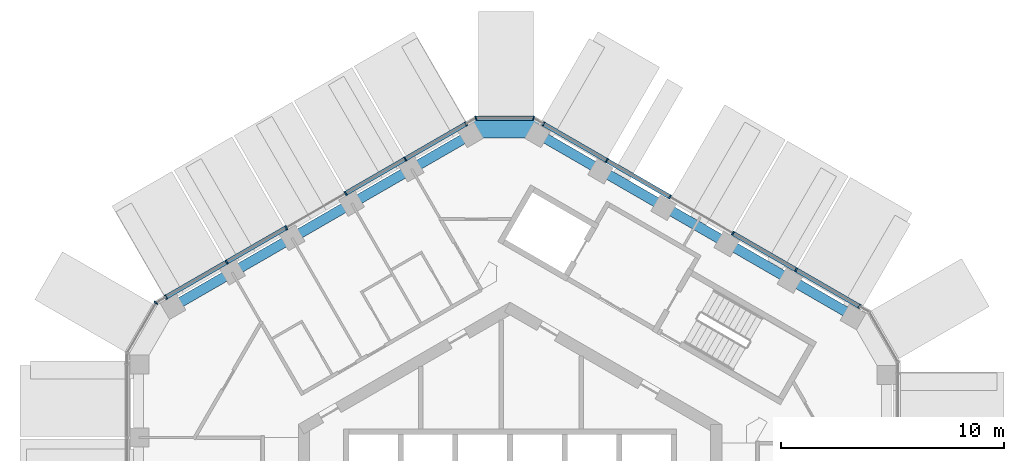
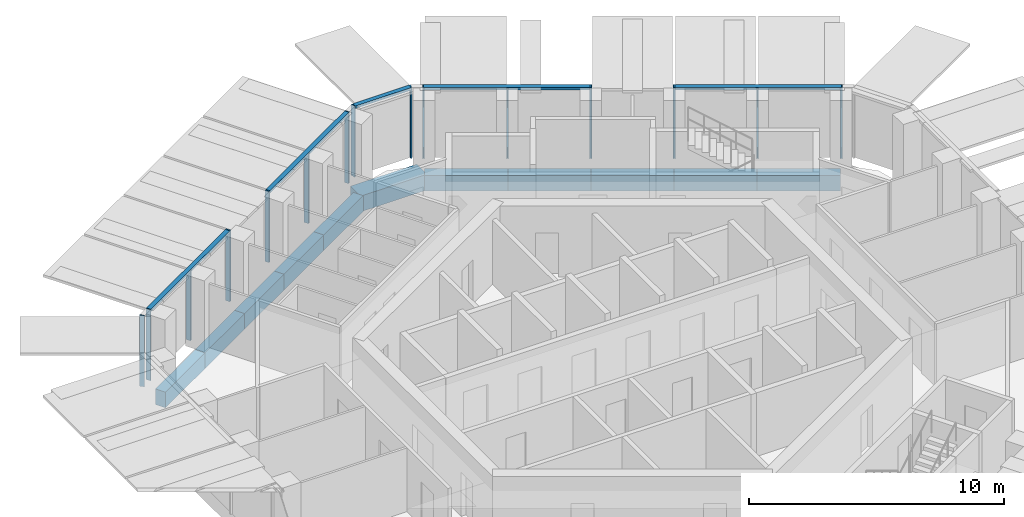
# One storey, part 5 of 17: 20 members, 11 beams, 4 elements without a shape of their own.
"""IFC4 building model written with IfcOpenShell, lengths in metres."""

import ifcopenshell
import ifcopenshell.guid

model = None  # the IFC model being written
_history = None  # IfcOwnerHistory: only IFC2X3 demands one
_inside = {}  # id of a spatial element -> (the spatial element, [elements in it])
_under = {}  # id of a project, library or spatial element -> (it, [spatial elements below it])
_declared = {}  # id of a project -> (the project, [libraries it declares])
_typed = {}  # id of a type object -> (the type object, [elements of that type])
_made_of = {}  # id of a material, layer set ... -> (it, [elements and type objects made of it])


def new_model(schema):
    """Start an empty IFC model of exactly this schema.

    Asked for "IFC4X3", IfcOpenShell would pick the latest addendum, in which some entities
    have other attributes; the version numbers below select the first issue.
    IFC2X3 requires an IfcOwnerHistory on every rooted entity: one is made here for all.
    """
    global model, _history
    if schema == "IFC4X3":
        model = ifcopenshell.file(schema_version=(4, 3, 0, 0))
    else:
        model = ifcopenshell.file(schema=schema)
    _inside.clear()
    _under.clear()
    _declared.clear()
    _typed.clear()
    _made_of.clear()
    _history = None
    if model.schema == "IFC2X3":
        org = make("IfcOrganization", Name="unknown")
        user = make(
            "IfcPersonAndOrganization",
            ThePerson=make("IfcPerson", FamilyName="unknown"),
            TheOrganization=org,
        )
        app = make(
            "IfcApplication",
            ApplicationDeveloper=org,
            Version="unknown",
            ApplicationFullName="unknown",
            ApplicationIdentifier="unknown",
        )
        _history = make(
            "IfcOwnerHistory",
            OwningUser=user,
            OwningApplication=app,
            ChangeAction="ADDED",
            CreationDate=0,
        )
    return model


def make(cls, **values):
    """One entity of the class cls with the attributes given. An attribute that is None is left unset."""
    return model.create_entity(
        cls, **{name: value for name, value in values.items() if value is not None}
    )


def rooted(cls, **values):
    """An entity with a GlobalId (a new one), such as an element, a storey or a relation."""
    return make(cls, GlobalId=ifcopenshell.guid.new(), OwnerHistory=_history, **values)


def si_unit(unit_type, name, prefix=None):
    """IfcSIUnit, for example si_unit("LENGTHUNIT", "METRE", prefix="MILLI")."""
    return make("IfcSIUnit", UnitType=unit_type, Prefix=prefix, Name=name)


def assignment(units):
    """IfcUnitAssignment: the units of a project."""
    return None if units is None else make("IfcUnitAssignment", Units=units)


def point(xyz):
    """IfcCartesianPoint."""
    return None if xyz is None else make("IfcCartesianPoint", Coordinates=xyz)


def direction(xyz):
    """IfcDirection."""
    return None if xyz is None else make("IfcDirection", DirectionRatios=xyz)


def frame(location, z_axis=None, x_axis=None):
    """IfcAxis2Placement3D, a coordinate frame: its origin and axes. An axis left out is left unset."""
    return make(
        "IfcAxis2Placement3D",
        Location=point(location),
        Axis=direction(z_axis),
        RefDirection=direction(x_axis),
    )


def frame_2d(location, x_axis=None):
    """IfcAxis2Placement2D, a coordinate frame in the plane: its origin and x axis."""
    return make(
        "IfcAxis2Placement2D", Location=point(location), RefDirection=direction(x_axis)
    )


def origin():
    """The frame at (0, 0, 0) with its axes left unset."""
    return frame((0.0, 0.0, 0.0))


def origin_2d():
    """The frame at (0, 0) in the plane with its x axis left unset."""
    return frame_2d((0.0, 0.0))


def place(relative_to, where):
    """IfcLocalPlacement: puts the frame where relative to a parent placement (None: the world)."""
    return make(
        "IfcLocalPlacement", PlacementRelTo=relative_to, RelativePlacement=where
    )


def context(
    kind, dimensions, precision=None, world=None, true_north=None, identifier=None
):
    """IfcGeometricRepresentationContext, for example the 3D "Model" context."""
    return make(
        "IfcGeometricRepresentationContext",
        ContextIdentifier=identifier,
        ContextType=kind,
        CoordinateSpaceDimension=dimensions,
        Precision=precision,
        WorldCoordinateSystem=world,
        TrueNorth=true_north,
    )


def subcontext(parent, identifier, kind, view, scale=None):
    """IfcGeometricRepresentationSubContext, for example "Body" below "Model"."""
    return make(
        "IfcGeometricRepresentationSubContext",
        ContextIdentifier=identifier,
        ContextType=kind,
        ParentContext=parent,
        TargetScale=scale,
        TargetView=view,
    )


def project(units=None, contexts=None):
    """IfcProject with its units and contexts."""
    return rooted(
        "IfcProject",
        Name="project",
        RepresentationContexts=contexts,
        UnitsInContext=assignment(units),
    )


def spatial(cls, under=None, at=None, **own):
    """A site, building, storey or space (cls), placed at a placement, below another one or the project."""
    s = rooted(cls, ObjectPlacement=at, **own)
    if under is not None:
        _under.setdefault(under.id(), (under, []))[1].append(s)
    return s


def profile(cls, at=None, kind="AREA", **sizes):
    """A parametric profile (cls). Its sizes go by their IFC names, for example OverallWidth=200.0."""
    return make(cls, ProfileType=kind, Position=at, **sizes)


def rectangle(**sizes):
    """IfcRectangleProfileDef."""
    return profile("IfcRectangleProfileDef", **sizes)


def extrude(swept, where, along, depth):
    """IfcExtrudedAreaSolid: the profile swept, set in the frame where, extruded along a direction by depth."""
    return make(
        "IfcExtrudedAreaSolid",
        SweptArea=swept,
        Position=where,
        ExtrudedDirection=direction(along),
        Depth=depth,
    )


def shape(context_of_items, identifier, shape_type, items):
    """IfcShapeRepresentation: the items that make up one representation, for example the "Body"."""
    return make(
        "IfcShapeRepresentation",
        ContextOfItems=context_of_items,
        RepresentationIdentifier=identifier,
        RepresentationType=shape_type,
        Items=items,
    )


def material(Name=None, Category=None):
    """IfcMaterial."""
    return make("IfcMaterial", Name=Name, Category=Category)


def layer(
    of_material, thickness, ventilated=None, Name=None, Category=None, Priority=None
):
    """IfcMaterialLayer: one layer of a wall or slab, of a material (None: an air gap)."""
    return make(
        "IfcMaterialLayer",
        Material=of_material,
        LayerThickness=thickness,
        IsVentilated=ventilated,
        Name=Name,
        Category=Category,
        Priority=Priority,
    )


def layer_set(layers, Name=None):
    """IfcMaterialLayerSet."""
    return make("IfcMaterialLayerSet", MaterialLayers=layers, LayerSetName=Name)


def material_profile(
    of_material, cross_section, Name=None, Category=None, Priority=None
):
    """IfcMaterialProfile: a cross section and its material."""
    return make(
        "IfcMaterialProfile",
        Name=Name,
        Material=of_material,
        Profile=cross_section,
        Priority=Priority,
        Category=Category,
    )


def profile_set(profiles, Name=None, composite=None):
    """IfcMaterialProfileSet."""
    return make(
        "IfcMaterialProfileSet",
        Name=Name,
        MaterialProfiles=profiles,
        CompositeProfile=composite,
    )


def made_of(thing, what):
    """Note that an element or type object is made of a material, layer set ...; save() writes the relation."""
    if what is not None:
        _made_of.setdefault(what.id(), (what, []))[1].append(thing)
    return thing


def type_object(cls, material=None, **own):
    """A type object (cls), such as IfcWallType, which elements share."""
    return made_of(rooted(cls, **own), material)


def element(
    cls,
    number,
    at=None,
    inside=None,
    cuts=None,
    type_object=None,
    material=None,
    context=None,
    identifier="Body",
    shape_type=None,
    held_by="IfcProductDefinitionShape",
    body=None,
    shapes=None,
    **own,
):
    """One element of the class cls, such as IfcWall. Its Tag is "e" and its number.

    at: its placement. inside: the storey or other place that contains it. cuts: it is an
    opening in that element (IfcRelVoidsElement). A single representation is given by context,
    identifier, shape_type and body (its items); several are given by shapes. held_by: the class
    of the entity that holds the representations. save() writes the other relations.
    """
    e = rooted(cls, Tag="e%d" % number, ObjectPlacement=at, **own)
    if body is not None:
        shapes = [shape(context, identifier, shape_type, body)]
    if shapes is not None:
        e.Representation = make(held_by, Representations=shapes)
    if inside is not None:
        _inside.setdefault(inside.id(), (inside, []))[1].append(e)
    if cuts is not None:
        rooted(
            "IfcRelVoidsElement", RelatingBuildingElement=cuts, RelatedOpeningElement=e
        )
    if type_object is not None:
        _typed.setdefault(type_object.id(), (type_object, []))[1].append(e)
    return made_of(e, material)


def aggregate(whole, parts):
    """IfcRelAggregates: a whole, such as a stair, and the parts it consists of."""
    return rooted("IfcRelAggregates", RelatingObject=whole, RelatedObjects=parts)


def save(model, path):
    """Write the relations noted so far, then the file.

    IfcRelAggregates (storeys below a building ...), IfcRelContainedInSpatialStructure (elements
    in a storey), IfcRelDefinesByType, IfcRelAssociatesMaterial and IfcRelDeclares: one each for
    every whole, place, type object, material and project.
    """
    for whole, parts in _under.values():
        aggregate(whole, parts)
    for where, things in _inside.values():
        rooted(
            "IfcRelContainedInSpatialStructure",
            RelatedElements=things,
            RelatingStructure=where,
        )
    for kind, things in _typed.values():
        rooted("IfcRelDefinesByType", RelatedObjects=things, RelatingType=kind)
    for what, things in _made_of.values():
        rooted("IfcRelAssociatesMaterial", RelatedObjects=things, RelatingMaterial=what)
    for by, libraries in _declared.values():
        rooted("IfcRelDeclares", RelatingContext=by, RelatedDefinitions=libraries)
    model.write(path)


model = new_model("IFC4")

# Units and contexts
model_context = context("Model", 3, precision=1e-05, world=origin(), true_north=direction((0.0, 1.0)))
body_context = subcontext(model_context, "Body", "Model", "MODEL_VIEW")
ifc_project = project(units=[si_unit("LENGTHUNIT", "METRE"), si_unit("AREAUNIT", "SQUARE_METRE"), si_unit("VOLUMEUNIT", "CUBIC_METRE"), si_unit("PLANEANGLEUNIT", "RADIAN"), si_unit("MASSUNIT", "GRAM", prefix="KILO")], contexts=[model_context])

# Site, building, storey
site_placement = place(None, origin())
site = spatial("IfcSite", under=ifc_project, at=site_placement, CompositionType="ELEMENT")
building_placement = place(site_placement, origin())
building = spatial("IfcBuilding", under=site, at=building_placement, Name="Ayvan Gate Tower", CompositionType="ELEMENT")
storey_placement = place(building_placement, frame((0.0, 0.0, 232.5)))
storey = spatial("IfcBuildingStorey", under=building, at=storey_placement, Name="L62", CompositionType="ELEMENT", Elevation=232.5)

# Beams
ifc_material_1 = material(Name="Concrete C40/50", Category="concrete")
ifc_material_profile_1 = material_profile(ifc_material_1, rectangle(XDim=0.800048828125, YDim=0.75, at=origin_2d()), Name="RC 800x750")
ifc_profile_set_1 = profile_set([ifc_material_profile_1], Name="Concrete C40/50")
beam_type_1 = type_object("IfcBeamType", Name="Corner spandrel beam RC 800x750 C40/50", PredefinedType="BEAM", material=ifc_profile_set_1)
beam_1_placement = place(storey_placement, frame((1.275146484375, 18.72412109375, -0.72509765625), z_axis=(-1.0, 0.0, 0.0), x_axis=(0.0, -1.0, 0.0)))
element("IfcBeam", 1, at=beam_1_placement, inside=storey, type_object=beam_type_1, Name="SB-L62-12", PredefinedType="BEAM", context=body_context, shape_type="SweptSolid", body=[
    extrude(rectangle(XDim=0.800048828125, YDim=0.75, at=origin_2d()), origin(), (0.0, 0.0, 1.0), 3.0),
])
ifc_material_profile_2 = material_profile(ifc_material_1, rectangle(XDim=0.449951171875, YDim=0.75, at=origin_2d()), Name="RC 450x750")
ifc_profile_set_2 = profile_set([ifc_material_profile_2], Name="Concrete C40/50")
beam_type_2 = type_object("IfcBeamType", Name="Spandrel beam RC 450x750 C40/50", PredefinedType="BEAM", material=ifc_profile_set_2)
beam_2_placement = place(storey_placement, frame((15.387451171875, 10.3564453125, -0.72509765625), z_axis=(-0.866017179828, 0.50001424404, 0.0), x_axis=(-0.50001424404, -0.866017179828, 0.0)))
element("IfcBeam", 2, at=beam_2_placement, inside=storey, type_object=beam_type_2, Name="SB-L62-7", PredefinedType="BEAM", context=body_context, shape_type="SweptSolid", body=[
    extrude(rectangle(XDim=0.449951171875, YDim=0.75, at=origin_2d()), origin(), (0.0, 0.0, 1.0), 3.25927734375),
])
for number, where, z_axis, x_axis, name in (
    (3, (12.56494140625, 11.986083984375, -0.72509765625), (-0.865998449813, 0.500046682742, 0.0), (-0.500046682742, -0.865998449813, 0.0), "SB-L62-8"),
    (4, (9.74267578125, 13.61572265625, -0.72509765625), (-0.866049616169, 0.499958060575, 0.0), (-0.499958060575, -0.866049616169, 0.0), "SB-L62-9"),
):
    element("IfcBeam", number, at=place(storey_placement, frame(where, z_axis=z_axis, x_axis=x_axis)), inside=storey, type_object=beam_type_2, Name=name, PredefinedType="BEAM", context=body_context, shape_type="SweptSolid", body=[
        extrude(rectangle(XDim=0.449951171875, YDim=0.75, at=origin_2d()), origin(), (0.0, 0.0, 1.0), 3.259033203125),
    ])
beam_3_placement = place(storey_placement, frame((6.920166015625, 15.2451171875, -0.72509765625), z_axis=(-0.866017179828, 0.50001424404, 0.0), x_axis=(-0.50001424404, -0.866017179828, 0.0)))
element("IfcBeam", 5, at=beam_3_placement, inside=storey, type_object=beam_type_2, Name="SB-L62-10", PredefinedType="BEAM", context=body_context, shape_type="SweptSolid", body=[
    extrude(rectangle(XDim=0.449951171875, YDim=0.75, at=origin_2d()), origin(), (0.0, 0.0, 1.0), 3.25927734375),
])
beam_4_placement = place(storey_placement, frame((4.09765625, 16.874755859375, -0.72509765625), z_axis=(-0.866049616169, 0.499958060575, 0.0), x_axis=(-0.499958060575, -0.866049616169, 0.0)))
element("IfcBeam", 6, at=beam_4_placement, inside=storey, type_object=beam_type_2, Name="SB-L62-11", PredefinedType="BEAM", context=body_context, shape_type="SweptSolid", body=[
    extrude(rectangle(XDim=0.449951171875, YDim=0.75, at=origin_2d()), origin(), (0.0, 0.0, 1.0), 3.259033203125),
])
for number, where, z_axis, x_axis, name in (
    (7, (-1.724853515625, 18.504150390625, -0.72509765625), (-0.866041474785, -0.499972163178, 0.0), (0.499972163178, -0.866041474785, 0.0), "SB-L62-13"),
    (8, (-4.412353515625, 16.95263671875, -0.72509765625), (-0.866007408613, -0.500031167255, 0.0), (0.500031167255, -0.866007408613, 0.0), "SB-L62-14"),
):
    element("IfcBeam", number, at=place(storey_placement, frame(where, z_axis=z_axis, x_axis=x_axis)), inside=storey, type_object=beam_type_2, Name=name, PredefinedType="BEAM", context=body_context, shape_type="SweptSolid", body=[
        extrude(rectangle(XDim=0.449951171875, YDim=0.75, at=origin_2d()), origin(), (0.0, 0.0, 1.0), 3.103271484375),
    ])
beam_5_placement = place(storey_placement, frame((-7.099853515625, 15.40087890625, -0.72509765625), z_axis=(-0.866027076738, -0.499997102348, 0.0), x_axis=(0.499997102348, -0.866027076738, 0.0)))
element("IfcBeam", 9, at=beam_5_placement, inside=storey, type_object=beam_type_2, Name="SB-L62-15", PredefinedType="BEAM", context=body_context, shape_type="SweptSolid", body=[
    extrude(rectangle(XDim=0.449951171875, YDim=0.75, at=origin_2d()), origin(), (0.0, 0.0, 1.0), 3.103515625),
])
beam_6_placement = place(storey_placement, frame((-9.78759765625, 13.84912109375, -0.72509765625), z_axis=(-0.866007408613, -0.500031167255, 0.0), x_axis=(0.500031167255, -0.866007408613, 0.0)))
element("IfcBeam", 10, at=beam_6_placement, inside=storey, type_object=beam_type_2, Name="SB-L62-16", PredefinedType="BEAM", context=body_context, shape_type="SweptSolid", body=[
    extrude(rectangle(XDim=0.449951171875, YDim=0.75, at=origin_2d()), origin(), (0.0, 0.0, 1.0), 3.103271484375),
])
beam_7_placement = place(storey_placement, frame((-12.47509765625, 12.29736328125, -0.72509765625), z_axis=(-0.866061139042, -0.49993809961, 0.0), x_axis=(0.49993809961, -0.866061139042, 0.0)))
element("IfcBeam", 11, at=beam_7_placement, inside=storey, type_object=beam_type_2, Name="SB-L62-17", PredefinedType="BEAM", context=body_context, shape_type="SweptSolid", body=[
    extrude(rectangle(XDim=0.449951171875, YDim=0.75, at=origin_2d()), origin(), (0.0, 0.0, 1.0), 3.103515625),
])

# Curtain wall, members
ifc_material_2 = material(Name="Bronze anodised aluminium", Category="aluminium")
ifc_layer_1 = layer(ifc_material_2, 0.199951171875)
ifc_layer_set_1 = layer_set([ifc_layer_1], Name="Bronze anodised aluminium")
curtain_wall_type_1 = type_object("IfcCurtainWallType", Name="Stick curtain wall CW-2", PredefinedType="NOTDEFINED", material=ifc_layer_set_1)
curtain_wall_1_placement = place(storey_placement, origin())
curtain_wall_1 = element("IfcCurtainWall", 12, at=curtain_wall_1_placement, inside=storey, type_object=curtain_wall_type_1, Name="Stick curtain wall CW-2 L62", PredefinedType="NOTDEFINED")
ifc_material_profile_3 = material_profile(ifc_material_2, rectangle(XDim=0.199951171875, YDim=0.070068359375, at=origin_2d()), Name="Stick curtain wall CW-2 mullion 200 x 70")
ifc_profile_set_3 = profile_set([ifc_material_profile_3], Name="Bronze anodised aluminium")
member_type_1 = type_object("IfcMemberType", Name="Stick curtain wall CW-2 mullion 200 x 70", PredefinedType="MULLION", material=ifc_profile_set_3)
member_1_placement = place(storey_placement, frame((-1.970458984375, 18.96875, 0.0), z_axis=(0.0, 0.0, 1.0), x_axis=(-0.5, 0.866025403784, 0.0)))
member_1 = element("IfcMember", 13, at=member_1_placement, type_object=member_type_1, Name="CW-2 mullion 1", PredefinedType="MULLION", context=body_context, shape_type="SweptSolid", body=[
    extrude(rectangle(XDim=0.199951171875, YDim=0.070068359375, at=origin_2d()), origin(), (0.0, 0.0, 1.0), 3.39990234375),
])
member_2_placement = place(storey_placement, frame((-4.699951171875, 17.392578125, 0.0), z_axis=(0.0, 0.0, 1.0), x_axis=(-0.5, 0.866025403784, 0.0)))
member_2 = element("IfcMember", 14, at=member_2_placement, type_object=member_type_1, Name="CW-2 mullion 2", PredefinedType="MULLION", context=body_context, shape_type="SweptSolid", body=[
    extrude(rectangle(XDim=0.199951171875, YDim=0.070068359375, at=origin_2d()), origin(), (0.0, 0.0, 1.0), 3.39990234375),
])
member_3_placement = place(storey_placement, frame((-7.370849609375, 15.8505859375, 0.0), z_axis=(0.0, 0.0, 1.0), x_axis=(-0.5, 0.866025403784, 0.0)))
member_3 = element("IfcMember", 15, at=member_3_placement, type_object=member_type_1, Name="CW-2 mullion 3", PredefinedType="MULLION", context=body_context, shape_type="SweptSolid", body=[
    extrude(rectangle(XDim=0.199951171875, YDim=0.070068359375, at=origin_2d()), origin(), (0.0, 0.0, 1.0), 3.39990234375),
])
member_4_placement = place(storey_placement, frame((-10.041748046875, 14.30859375, 0.0), z_axis=(0.0, 0.0, 1.0), x_axis=(-0.5, 0.866025403784, 0.0)))
member_4 = element("IfcMember", 16, at=member_4_placement, type_object=member_type_1, Name="CW-2 mullion 4", PredefinedType="MULLION", context=body_context, shape_type="SweptSolid", body=[
    extrude(rectangle(XDim=0.199951171875, YDim=0.070068359375, at=origin_2d()), origin(), (0.0, 0.0, 1.0), 3.39990234375),
])
member_5_placement = place(storey_placement, frame((-12.71240234375, 12.7666015625, 0.0), z_axis=(0.0, 0.0, 1.0), x_axis=(-0.5, 0.866025403784, 0.0)))
member_5 = element("IfcMember", 17, at=member_5_placement, type_object=member_type_1, Name="CW-2 mullion 5", PredefinedType="MULLION", context=body_context, shape_type="SweptSolid", body=[
    extrude(rectangle(XDim=0.199951171875, YDim=0.070068359375, at=origin_2d()), origin(), (0.0, 0.0, 1.0), 3.39990234375),
])
member_6_placement = place(storey_placement, frame((-15.442138671875, 11.190673828125, 0.0), z_axis=(0.0, 0.0, 1.0), x_axis=(-0.5, 0.866025403784, 0.0)))
member_6 = element("IfcMember", 18, at=member_6_placement, type_object=member_type_1, Name="CW-2 mullion 6", PredefinedType="MULLION", context=body_context, shape_type="SweptSolid", body=[
    extrude(rectangle(XDim=0.199951171875, YDim=0.070068359375, at=origin_2d()), origin(), (0.0, 0.0, 1.0), 3.39990234375),
])

curtain_wall_2_placement = place(storey_placement, origin())
curtain_wall_2 = element("IfcCurtainWall", 19, at=curtain_wall_2_placement, inside=storey, type_object=curtain_wall_type_1, Name="Stick curtain wall CW-2 L62", PredefinedType="NOTDEFINED")
member_7_placement = place(storey_placement, frame((15.679443359375, 10.779541015625, 0.0), z_axis=(0.0, 0.0, 1.0), x_axis=(0.5, 0.866025403784, 0.0)))
member_7 = element("IfcMember", 20, at=member_7_placement, type_object=member_type_1, Name="CW-2 mullion 1", PredefinedType="MULLION", context=body_context, shape_type="SweptSolid", body=[
    extrude(rectangle(XDim=0.199951171875, YDim=0.070068359375, at=origin_2d()), origin(), (0.0, 0.0, 1.0), 3.39990234375),
])
member_8_placement = place(storey_placement, frame((12.833740234375, 12.422607421875, 0.0), z_axis=(0.0, 0.0, 1.0), x_axis=(0.5, 0.866025403784, 0.0)))
member_8 = element("IfcMember", 21, at=member_8_placement, type_object=member_type_1, Name="CW-2 mullion 2", PredefinedType="MULLION", context=body_context, shape_type="SweptSolid", body=[
    extrude(rectangle(XDim=0.199951171875, YDim=0.070068359375, at=origin_2d()), origin(), (0.0, 0.0, 1.0), 3.39990234375),
])
member_9_placement = place(storey_placement, frame((10.002685546875, 14.05712890625, 0.0), z_axis=(0.0, 0.0, 1.0), x_axis=(0.5, 0.866025403784, 0.0)))
member_9 = element("IfcMember", 22, at=member_9_placement, type_object=member_type_1, Name="CW-2 mullion 3", PredefinedType="MULLION", context=body_context, shape_type="SweptSolid", body=[
    extrude(rectangle(XDim=0.199951171875, YDim=0.070068359375, at=origin_2d()), origin(), (0.0, 0.0, 1.0), 3.39990234375),
])
member_10_placement = place(storey_placement, frame((7.171630859375, 15.69140625, 0.0), z_axis=(0.0, 0.0, 1.0), x_axis=(0.5, 0.866025403784, 0.0)))
member_10 = element("IfcMember", 23, at=member_10_placement, type_object=member_type_1, Name="CW-2 mullion 4", PredefinedType="MULLION", context=body_context, shape_type="SweptSolid", body=[
    extrude(rectangle(XDim=0.199951171875, YDim=0.070068359375, at=origin_2d()), origin(), (0.0, 0.0, 1.0), 3.39990234375),
])
member_11_placement = place(storey_placement, frame((4.341552734375, 17.325439453125, 0.0), z_axis=(0.0, 0.0, 1.0), x_axis=(0.5, 0.866025403784, 0.0)))
member_11 = element("IfcMember", 24, at=member_11_placement, type_object=member_type_1, Name="CW-2 mullion 5", PredefinedType="MULLION", context=body_context, shape_type="SweptSolid", body=[
    extrude(rectangle(XDim=0.199951171875, YDim=0.070068359375, at=origin_2d()), origin(), (0.0, 0.0, 1.0), 3.39990234375),
])
member_12_placement = place(storey_placement, frame((1.49560546875, 18.96875, 0.0), z_axis=(0.0, 0.0, 1.0), x_axis=(0.5, 0.866025403784, 0.0)))
member_12 = element("IfcMember", 25, at=member_12_placement, type_object=member_type_1, Name="CW-2 mullion 6", PredefinedType="MULLION", context=body_context, shape_type="SweptSolid", body=[
    extrude(rectangle(XDim=0.199951171875, YDim=0.070068359375, at=origin_2d()), origin(), (0.0, 0.0, 1.0), 3.39990234375),
])

# Member
ifc_material_profile_4 = material_profile(ifc_material_2, rectangle(XDim=0.199951171875, YDim=0.1201171875, at=origin_2d()), Name="Stick curtain wall CW-2 transom 200 x 120")
ifc_profile_set_4 = profile_set([ifc_material_profile_4], Name="Bronze anodised aluminium")
member_type_2 = type_object("IfcMemberType", Name="Stick curtain wall CW-2 transom 200 x 120", PredefinedType="USERDEFINED", material=ifc_profile_set_4)
member_13_placement = place(storey_placement, frame((-1.970458984375, 18.96875, 3.340087890625), z_axis=(-0.86601511528, -0.500017819788, 0.0), x_axis=(0.500017819788, -0.86601511528, 0.0)))
member_13 = element("IfcMember", 26, at=member_13_placement, type_object=member_type_2, Name="CW-2 transom 1", ObjectType="TRANSOM", PredefinedType="USERDEFINED", context=body_context, shape_type="SweptSolid", body=[
    extrude(rectangle(XDim=0.199951171875, YDim=0.1201171875, at=origin_2d()), origin(), (0.0, 0.0, 1.0), 6.200927734375),
])

member_14_placement = place(storey_placement, frame((-10.072021484375, 14.291259765625, 3.340087890625), z_axis=(-0.86601511528, -0.500017819788, 0.0), x_axis=(0.500017819788, -0.86601511528, 0.0)))
member_14 = element("IfcMember", 27, at=member_14_placement, type_object=member_type_2, Name="CW-2 transom 2", ObjectType="TRANSOM", PredefinedType="USERDEFINED", context=body_context, shape_type="SweptSolid", body=[
    extrude(rectangle(XDim=0.199951171875, YDim=0.1201171875, at=origin_2d()), origin(), (0.0, 0.0, 1.0), 6.200927734375),
])

aggregate(curtain_wall_1, [member_1, member_2, member_3, member_4, member_5, member_6, member_13, member_14])

member_15_placement = place(storey_placement, frame((15.679443359375, 10.779541015625, 3.340087890625), z_axis=(-0.866024706996, 0.500001206871, 0.0), x_axis=(-0.500001206871, -0.866024706996, 0.0)))
member_15 = element("IfcMember", 28, at=member_15_placement, type_object=member_type_2, Name="CW-2 transom 1", ObjectType="TRANSOM", PredefinedType="USERDEFINED", context=body_context, shape_type="SweptSolid", body=[
    extrude(rectangle(XDim=0.199951171875, YDim=0.1201171875, at=origin_2d()), origin(), (0.0, 0.0, 1.0), 6.52001953125),
])

member_16_placement = place(storey_placement, frame((7.141357421875, 15.708984375, 3.340087890625), z_axis=(-0.86601283572, 0.500021767894, 0.0), x_axis=(-0.500021767894, -0.86601283572, 0.0)))
member_16 = element("IfcMember", 29, at=member_16_placement, type_object=member_type_2, Name="CW-2 transom 2", ObjectType="TRANSOM", PredefinedType="USERDEFINED", context=body_context, shape_type="SweptSolid", body=[
    extrude(rectangle(XDim=0.199951171875, YDim=0.1201171875, at=origin_2d()), origin(), (0.0, 0.0, 1.0), 6.519287109375),
])

aggregate(curtain_wall_2, [member_7, member_8, member_9, member_10, member_11, member_12, member_15, member_16])

# Curtain wall, member
ifc_layer_2 = layer(ifc_material_2, 0.199951171875)
ifc_layer_set_2 = layer_set([ifc_layer_2], Name="Bronze anodised aluminium")
curtain_wall_type_2 = type_object("IfcCurtainWallType", Name="Stick curtain wall CW-6", PredefinedType="NOTDEFINED", material=ifc_layer_set_2)
curtain_wall_3_placement = place(storey_placement, origin())
curtain_wall_3 = element("IfcCurtainWall", 30, at=curtain_wall_3_placement, inside=storey, type_object=curtain_wall_type_2, Name="Stick curtain wall CW-6 L62", PredefinedType="NOTDEFINED")
ifc_material_profile_5 = material_profile(ifc_material_2, rectangle(XDim=0.199951171875, YDim=0.050048828125, at=origin_2d()), Name="Stick curtain wall CW-6 mullion 200 x 50")
ifc_profile_set_5 = profile_set([ifc_material_profile_5], Name="Bronze anodised aluminium")
member_type_3 = type_object("IfcMemberType", Name="Stick curtain wall CW-6 mullion 200 x 50", PredefinedType="MULLION", material=ifc_profile_set_5)
member_17_placement = place(storey_placement, frame((-15.8837890625, 10.935791015625, 0.0), z_axis=(0.0, 0.0, 1.0), x_axis=(-0.707106781187, 0.707106781187, 0.0)))
member_17 = element("IfcMember", 31, at=member_17_placement, type_object=member_type_3, Name="CW-6 mullion 2", PredefinedType="MULLION", context=body_context, shape_type="SweptSolid", body=[
    extrude(rectangle(XDim=0.199951171875, YDim=0.050048828125, at=origin_2d()), origin(), (0.0, 0.0, 1.0), 3.39990234375),
])
aggregate(curtain_wall_3, [member_17])

# Curtain wall, members
curtain_wall_4_placement = place(storey_placement, origin())
curtain_wall_4 = element("IfcCurtainWall", 32, at=curtain_wall_4_placement, inside=storey, type_object=curtain_wall_type_2, Name="Stick curtain wall CW-6 L62", PredefinedType="NOTDEFINED")
member_18_placement = place(storey_placement, frame((1.053955078125, 19.2236328125, 0.0), z_axis=(0.0, 0.0, 1.0), x_axis=(0.258819045103, 0.965925826289, 0.0)))
member_18 = element("IfcMember", 33, at=member_18_placement, type_object=member_type_3, Name="CW-6 mullion 2", PredefinedType="MULLION", context=body_context, shape_type="SweptSolid", body=[
    extrude(rectangle(XDim=0.199951171875, YDim=0.050048828125, at=origin_2d()), origin(), (0.0, 0.0, 1.0), 3.39990234375),
])
member_19_placement = place(storey_placement, frame((-1.528564453125, 19.2236328125, 0.0), z_axis=(0.0, 0.0, 1.0), x_axis=(-0.258819045103, 0.965925826289, 0.0)))
member_19 = element("IfcMember", 34, at=member_19_placement, type_object=member_type_3, Name="CW-6 mullion 3", PredefinedType="MULLION", context=body_context, shape_type="SweptSolid", body=[
    extrude(rectangle(XDim=0.199951171875, YDim=0.050048828125, at=origin_2d()), origin(), (0.0, 0.0, 1.0), 3.39990234375),
])
ifc_material_profile_6 = material_profile(ifc_material_2, rectangle(XDim=0.199951171875, YDim=0.1201171875, at=origin_2d()), Name="Stick curtain wall CW-6 transom 200 x 120")
ifc_profile_set_6 = profile_set([ifc_material_profile_6], Name="Bronze anodised aluminium")
member_type_4 = type_object("IfcMemberType", Name="Stick curtain wall CW-6 transom 200 x 120", PredefinedType="USERDEFINED", material=ifc_profile_set_6)
member_20_placement = place(storey_placement, frame((1.02880859375, 19.2236328125, 3.340087890625), z_axis=(-1.0, 0.0, 0.0), x_axis=(0.0, -1.0, 0.0)))
member_20 = element("IfcMember", 35, at=member_20_placement, type_object=member_type_4, Name="CW-6 transom 2", ObjectType="TRANSOM", PredefinedType="USERDEFINED", context=body_context, shape_type="SweptSolid", body=[
    extrude(rectangle(XDim=0.199951171875, YDim=0.1201171875, at=origin_2d()), origin(), (0.0, 0.0, 1.0), 2.532470703125),
])
aggregate(curtain_wall_4, [member_18, member_19, member_20])

save(model, "model.ifc")
